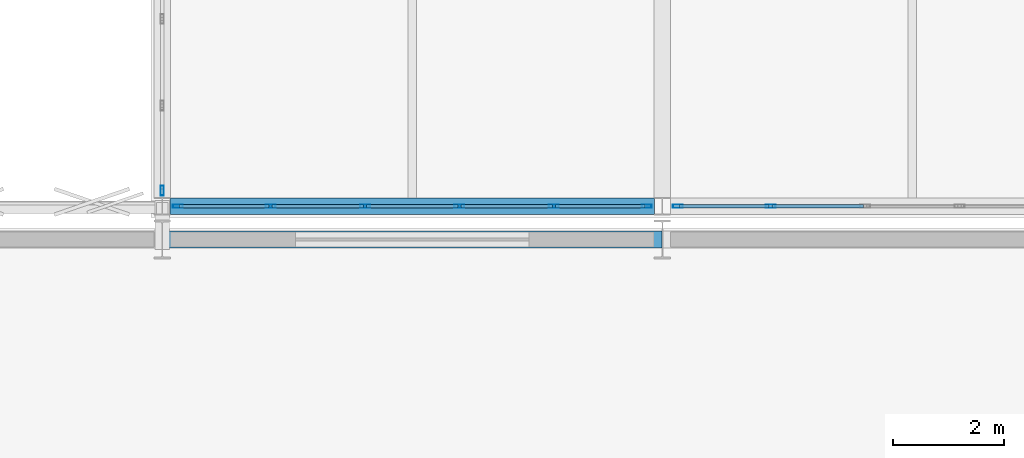
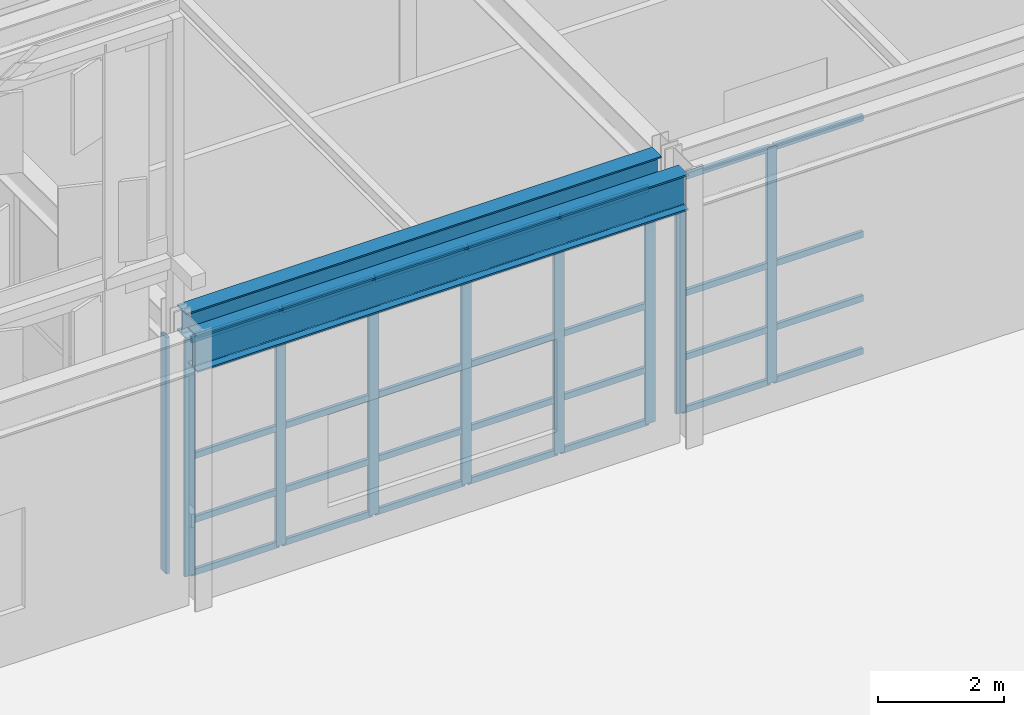
# One storey, part 24 of 239: 37 members, 2 beams, 3 elements without a shape of their own.
"""IFC4 building model written with IfcOpenShell, lengths in metres."""

import ifcopenshell
import ifcopenshell.guid

model = None  # the IFC model being written
_history = None  # IfcOwnerHistory: only IFC2X3 demands one
_inside = {}  # id of a spatial element -> (the spatial element, [elements in it])
_under = {}  # id of a project, library or spatial element -> (it, [spatial elements below it])
_declared = {}  # id of a project -> (the project, [libraries it declares])
_typed = {}  # id of a type object -> (the type object, [elements of that type])
_made_of = {}  # id of a material, layer set ... -> (it, [elements and type objects made of it])


def new_model(schema):
    """Start an empty IFC model of exactly this schema.

    Asked for "IFC4X3", IfcOpenShell would pick the latest addendum, in which some entities
    have other attributes; the version numbers below select the first issue.
    IFC2X3 requires an IfcOwnerHistory on every rooted entity: one is made here for all.
    """
    global model, _history
    if schema == "IFC4X3":
        model = ifcopenshell.file(schema_version=(4, 3, 0, 0))
    else:
        model = ifcopenshell.file(schema=schema)
    _inside.clear()
    _under.clear()
    _declared.clear()
    _typed.clear()
    _made_of.clear()
    _history = None
    if model.schema == "IFC2X3":
        org = make("IfcOrganization", Name="unknown")
        user = make(
            "IfcPersonAndOrganization",
            ThePerson=make("IfcPerson", FamilyName="unknown"),
            TheOrganization=org,
        )
        app = make(
            "IfcApplication",
            ApplicationDeveloper=org,
            Version="unknown",
            ApplicationFullName="unknown",
            ApplicationIdentifier="unknown",
        )
        _history = make(
            "IfcOwnerHistory",
            OwningUser=user,
            OwningApplication=app,
            ChangeAction="ADDED",
            CreationDate=0,
        )
    return model


def make(cls, **values):
    """One entity of the class cls with the attributes given. An attribute that is None is left unset."""
    return model.create_entity(
        cls, **{name: value for name, value in values.items() if value is not None}
    )


def rooted(cls, **values):
    """An entity with a GlobalId (a new one), such as an element, a storey or a relation."""
    return make(cls, GlobalId=ifcopenshell.guid.new(), OwnerHistory=_history, **values)


def si_unit(unit_type, name, prefix=None):
    """IfcSIUnit, for example si_unit("LENGTHUNIT", "METRE", prefix="MILLI")."""
    return make("IfcSIUnit", UnitType=unit_type, Prefix=prefix, Name=name)


def assignment(units):
    """IfcUnitAssignment: the units of a project."""
    return None if units is None else make("IfcUnitAssignment", Units=units)


def point(xyz):
    """IfcCartesianPoint."""
    return None if xyz is None else make("IfcCartesianPoint", Coordinates=xyz)


def direction(xyz):
    """IfcDirection."""
    return None if xyz is None else make("IfcDirection", DirectionRatios=xyz)


def frame(location, z_axis=None, x_axis=None):
    """IfcAxis2Placement3D, a coordinate frame: its origin and axes. An axis left out is left unset."""
    return make(
        "IfcAxis2Placement3D",
        Location=point(location),
        Axis=direction(z_axis),
        RefDirection=direction(x_axis),
    )


def frame_2d(location, x_axis=None):
    """IfcAxis2Placement2D, a coordinate frame in the plane: its origin and x axis."""
    return make(
        "IfcAxis2Placement2D", Location=point(location), RefDirection=direction(x_axis)
    )


def origin():
    """The frame at (0, 0, 0) with its axes left unset."""
    return frame((0.0, 0.0, 0.0))


def origin_2d():
    """The frame at (0, 0) in the plane with its x axis left unset."""
    return frame_2d((0.0, 0.0))


def place(relative_to, where):
    """IfcLocalPlacement: puts the frame where relative to a parent placement (None: the world)."""
    return make(
        "IfcLocalPlacement", PlacementRelTo=relative_to, RelativePlacement=where
    )


def context(
    kind, dimensions, precision=None, world=None, true_north=None, identifier=None
):
    """IfcGeometricRepresentationContext, for example the 3D "Model" context."""
    return make(
        "IfcGeometricRepresentationContext",
        ContextIdentifier=identifier,
        ContextType=kind,
        CoordinateSpaceDimension=dimensions,
        Precision=precision,
        WorldCoordinateSystem=world,
        TrueNorth=true_north,
    )


def subcontext(parent, identifier, kind, view, scale=None):
    """IfcGeometricRepresentationSubContext, for example "Body" below "Model"."""
    return make(
        "IfcGeometricRepresentationSubContext",
        ContextIdentifier=identifier,
        ContextType=kind,
        ParentContext=parent,
        TargetScale=scale,
        TargetView=view,
    )


def project(units=None, contexts=None):
    """IfcProject with its units and contexts."""
    return rooted(
        "IfcProject",
        Name="project",
        RepresentationContexts=contexts,
        UnitsInContext=assignment(units),
    )


def spatial(cls, under=None, at=None, **own):
    """A site, building, storey or space (cls), placed at a placement, below another one or the project."""
    s = rooted(cls, ObjectPlacement=at, **own)
    if under is not None:
        _under.setdefault(under.id(), (under, []))[1].append(s)
    return s


def profile(cls, at=None, kind="AREA", **sizes):
    """A parametric profile (cls). Its sizes go by their IFC names, for example OverallWidth=200.0."""
    return make(cls, ProfileType=kind, Position=at, **sizes)


def hollow_rectangle(**sizes):
    """IfcRectangleHollowProfileDef."""
    return profile("IfcRectangleHollowProfileDef", **sizes)


def i_section(**sizes):
    """IfcIShapeProfileDef."""
    return profile("IfcIShapeProfileDef", **sizes)


def extrude(swept, where, along, depth):
    """IfcExtrudedAreaSolid: the profile swept, set in the frame where, extruded along a direction by depth."""
    return make(
        "IfcExtrudedAreaSolid",
        SweptArea=swept,
        Position=where,
        ExtrudedDirection=direction(along),
        Depth=depth,
    )


def shape(context_of_items, identifier, shape_type, items):
    """IfcShapeRepresentation: the items that make up one representation, for example the "Body"."""
    return make(
        "IfcShapeRepresentation",
        ContextOfItems=context_of_items,
        RepresentationIdentifier=identifier,
        RepresentationType=shape_type,
        Items=items,
    )


def material(Name=None, Category=None):
    """IfcMaterial."""
    return make("IfcMaterial", Name=Name, Category=Category)


def material_profile(
    of_material, cross_section, Name=None, Category=None, Priority=None
):
    """IfcMaterialProfile: a cross section and its material."""
    return make(
        "IfcMaterialProfile",
        Name=Name,
        Material=of_material,
        Profile=cross_section,
        Priority=Priority,
        Category=Category,
    )


def profile_set(profiles, Name=None, composite=None):
    """IfcMaterialProfileSet."""
    return make(
        "IfcMaterialProfileSet",
        Name=Name,
        MaterialProfiles=profiles,
        CompositeProfile=composite,
    )


def made_of(thing, what):
    """Note that an element or type object is made of a material, layer set ...; save() writes the relation."""
    if what is not None:
        _made_of.setdefault(what.id(), (what, []))[1].append(thing)
    return thing


def type_object(cls, material=None, **own):
    """A type object (cls), such as IfcWallType, which elements share."""
    return made_of(rooted(cls, **own), material)


def element(
    cls,
    number,
    at=None,
    inside=None,
    cuts=None,
    type_object=None,
    material=None,
    context=None,
    identifier="Body",
    shape_type=None,
    held_by="IfcProductDefinitionShape",
    body=None,
    shapes=None,
    **own,
):
    """One element of the class cls, such as IfcWall. Its Tag is "e" and its number.

    at: its placement. inside: the storey or other place that contains it. cuts: it is an
    opening in that element (IfcRelVoidsElement). A single representation is given by context,
    identifier, shape_type and body (its items); several are given by shapes. held_by: the class
    of the entity that holds the representations. save() writes the other relations.
    """
    e = rooted(cls, Tag="e%d" % number, ObjectPlacement=at, **own)
    if body is not None:
        shapes = [shape(context, identifier, shape_type, body)]
    if shapes is not None:
        e.Representation = make(held_by, Representations=shapes)
    if inside is not None:
        _inside.setdefault(inside.id(), (inside, []))[1].append(e)
    if cuts is not None:
        rooted(
            "IfcRelVoidsElement", RelatingBuildingElement=cuts, RelatedOpeningElement=e
        )
    if type_object is not None:
        _typed.setdefault(type_object.id(), (type_object, []))[1].append(e)
    return made_of(e, material)


def aggregate(whole, parts):
    """IfcRelAggregates: a whole, such as a stair, and the parts it consists of."""
    return rooted("IfcRelAggregates", RelatingObject=whole, RelatedObjects=parts)


def save(model, path):
    """Write the relations noted so far, then the file.

    IfcRelAggregates (storeys below a building ...), IfcRelContainedInSpatialStructure (elements
    in a storey), IfcRelDefinesByType, IfcRelAssociatesMaterial and IfcRelDeclares: one each for
    every whole, place, type object, material and project.
    """
    for whole, parts in _under.values():
        aggregate(whole, parts)
    for where, things in _inside.values():
        rooted(
            "IfcRelContainedInSpatialStructure",
            RelatedElements=things,
            RelatingStructure=where,
        )
    for kind, things in _typed.values():
        rooted("IfcRelDefinesByType", RelatedObjects=things, RelatingType=kind)
    for what, things in _made_of.values():
        rooted("IfcRelAssociatesMaterial", RelatedObjects=things, RelatingMaterial=what)
    for by, libraries in _declared.values():
        rooted("IfcRelDeclares", RelatingContext=by, RelatedDefinitions=libraries)
    model.write(path)


model = new_model("IFC4")

# Units and contexts
model_context = context("Model", 3, precision=1e-05, world=origin(), true_north=direction((0.0, 1.0)))
body_context = subcontext(model_context, "Body", "Model", "MODEL_VIEW")
ifc_project = project(units=[si_unit("LENGTHUNIT", "METRE"), si_unit("AREAUNIT", "SQUARE_METRE"), si_unit("VOLUMEUNIT", "CUBIC_METRE"), si_unit("PLANEANGLEUNIT", "RADIAN"), si_unit("MASSUNIT", "GRAM", prefix="KILO")], contexts=[model_context])

# Site, building, storey
site_placement = place(None, origin())
site = spatial("IfcSite", under=ifc_project, at=site_placement, CompositionType="ELEMENT")
building_placement = place(site_placement, origin())
building = spatial("IfcBuilding", under=site, at=building_placement, Name="Kaldris Quays Convention Centre", CompositionType="ELEMENT")
storey_placement = place(building_placement, frame((0.0, 0.0, 11.39990234375)))
storey = spatial("IfcBuildingStorey", under=building, at=storey_placement, Name="L02", CompositionType="ELEMENT", Elevation=11.39990234375)

# Curtain wall, members
ifc_material_1 = material(Name="Anodized aluminium AW-6060 and triple glazing", Category="aluminium")
curtain_wall_type = type_object("IfcCurtainWallType", Name="UNITISED CURTAIN WALL CW02", PredefinedType="NOTDEFINED", material=ifc_material_1)
curtain_wall_1_placement = place(storey_placement, origin())
curtain_wall_1 = element("IfcCurtainWall", 1, at=curtain_wall_1_placement, inside=storey, type_object=curtain_wall_type, Name="L02 Unitised Curtain Wall CW02 97", PredefinedType="NOTDEFINED")
ifc_material_2 = material(Name="Anodized aluminium AW-6060", Category="aluminium")
ifc_material_profile_1 = material_profile(ifc_material_2, hollow_rectangle(XDim=0.06005859375, YDim=0.179931640625, WallThickness=0.0048828125, at=origin_2d()), Name="RHS 180x60x5")
ifc_profile_set_1 = profile_set([ifc_material_profile_1], Name="Anodized aluminium AW-6060")
member_type_1 = type_object("IfcMemberType", Name="CURTAIN MULLION CWM2", PredefinedType="MULLION", material=ifc_profile_set_1)
member_1_placement = place(storey_placement, frame((29.280029296875, 46.60009765625, 0.0), z_axis=(0.0, 0.0, 1.0), x_axis=(0.0, 1.0, 0.0)))
member_1 = element("IfcMember", 2, at=member_1_placement, type_object=member_type_1, Name="CW02 mullion 1", PredefinedType="MULLION", context=body_context, shape_type="SweptSolid", body=[
    extrude(hollow_rectangle(XDim=0.06005859375, YDim=0.179931640625, WallThickness=0.0048828125, at=origin_2d()), origin(), (0.0, 0.0, 1.0), 4.578125),
])
member_2_placement = place(storey_placement, frame((30.949951171875, 46.60009765625, 0.0), z_axis=(0.0, 0.0, 1.0), x_axis=(0.0, 1.0, 0.0)))
member_2 = element("IfcMember", 3, at=member_2_placement, type_object=member_type_1, Name="CW02 mullion 2", PredefinedType="MULLION", context=body_context, shape_type="SweptSolid", body=[
    extrude(hollow_rectangle(XDim=0.06005859375, YDim=0.179931640625, WallThickness=0.0048828125, at=origin_2d()), origin(), (0.0, 0.0, 1.0), 4.578125),
])
member_3_placement = place(storey_placement, frame((32.64990234375, 46.60009765625, 0.0), z_axis=(0.0, 0.0, 1.0), x_axis=(0.0, 1.0, 0.0)))
member_3 = element("IfcMember", 4, at=member_3_placement, type_object=member_type_1, Name="CW02 mullion 3", PredefinedType="MULLION", context=body_context, shape_type="SweptSolid", body=[
    extrude(hollow_rectangle(XDim=0.06005859375, YDim=0.179931640625, WallThickness=0.0048828125, at=origin_2d()), origin(), (0.0, 0.0, 1.0), 4.578125),
])
member_4_placement = place(storey_placement, frame((34.35009765625, 46.60009765625, 0.0), z_axis=(0.0, 0.0, 1.0), x_axis=(0.0, 1.0, 0.0)))
member_4 = element("IfcMember", 5, at=member_4_placement, type_object=member_type_1, Name="CW02 mullion 4", PredefinedType="MULLION", context=body_context, shape_type="SweptSolid", body=[
    extrude(hollow_rectangle(XDim=0.06005859375, YDim=0.179931640625, WallThickness=0.0048828125, at=origin_2d()), origin(), (0.0, 0.0, 1.0), 4.578125),
])
member_5_placement = place(storey_placement, frame((36.050048828125, 46.60009765625, 0.0), z_axis=(0.0, 0.0, 1.0), x_axis=(0.0, 1.0, 0.0)))
member_5 = element("IfcMember", 6, at=member_5_placement, type_object=member_type_1, Name="CW02 mullion 5", PredefinedType="MULLION", context=body_context, shape_type="SweptSolid", body=[
    extrude(hollow_rectangle(XDim=0.06005859375, YDim=0.179931640625, WallThickness=0.0048828125, at=origin_2d()), origin(), (0.0, 0.0, 1.0), 4.578125),
])
member_6_placement = place(storey_placement, frame((37.719970703125, 46.60009765625, 0.0), z_axis=(0.0, 0.0, 1.0), x_axis=(0.0, 1.0, 0.0)))
member_6 = element("IfcMember", 7, at=member_6_placement, type_object=member_type_1, Name="CW02 mullion 6", PredefinedType="MULLION", context=body_context, shape_type="SweptSolid", body=[
    extrude(hollow_rectangle(XDim=0.06005859375, YDim=0.179931640625, WallThickness=0.0048828125, at=origin_2d()), origin(), (0.0, 0.0, 1.0), 4.578125),
])

curtain_wall_2_placement = place(storey_placement, origin())
curtain_wall_2 = element("IfcCurtainWall", 8, at=curtain_wall_2_placement, inside=storey, type_object=curtain_wall_type, Name="L02 Unitised Curtain Wall CW02 98", PredefinedType="NOTDEFINED")
member_7_placement = place(storey_placement, frame((38.280029296875, 46.60009765625, 0.0), z_axis=(0.0, 0.0, 1.0), x_axis=(0.0, 1.0, 0.0)))
member_7 = element("IfcMember", 9, at=member_7_placement, type_object=member_type_1, Name="CW02 mullion 1", PredefinedType="MULLION", context=body_context, shape_type="SweptSolid", body=[
    extrude(hollow_rectangle(XDim=0.06005859375, YDim=0.179931640625, WallThickness=0.0048828125, at=origin_2d()), origin(), (0.0, 0.0, 1.0), 4.578125),
])
member_8_placement = place(storey_placement, frame((39.949951171875, 46.60009765625, 0.0), z_axis=(0.0, 0.0, 1.0), x_axis=(0.0, 1.0, 0.0)))
member_8 = element("IfcMember", 10, at=member_8_placement, type_object=member_type_1, Name="CW02 mullion 2", PredefinedType="MULLION", context=body_context, shape_type="SweptSolid", body=[
    extrude(hollow_rectangle(XDim=0.06005859375, YDim=0.179931640625, WallThickness=0.0048828125, at=origin_2d()), origin(), (0.0, 0.0, 1.0), 4.578125),
])

# Curtain wall, member
curtain_wall_3_placement = place(storey_placement, origin())
curtain_wall_3 = element("IfcCurtainWall", 11, at=curtain_wall_3_placement, inside=storey, type_object=curtain_wall_type, Name="L02 Unitised Curtain Wall CW02 103", PredefinedType="NOTDEFINED")
member_9_placement = place(storey_placement, frame((29.0, 46.8798828125, 0.0), z_axis=(0.0, 0.0, 1.0), x_axis=(-1.0, 0.0, 0.0)))
member_9 = element("IfcMember", 12, at=member_9_placement, type_object=member_type_1, Name="CW02 mullion 1", PredefinedType="MULLION", context=body_context, shape_type="SweptSolid", body=[
    extrude(hollow_rectangle(XDim=0.06005859375, YDim=0.179931640625, WallThickness=0.0048828125, at=origin_2d()), origin(), (0.0, 0.0, 1.0), 4.578125),
])
aggregate(curtain_wall_3, [member_9])

# Member
ifc_material_profile_2 = material_profile(ifc_material_2, hollow_rectangle(XDim=0.06005859375, YDim=0.1201171875, WallThickness=0.00390625, at=origin_2d()), Name="RHS 120x60x4")
ifc_profile_set_2 = profile_set([ifc_material_profile_2], Name="Anodized aluminium AW-6060")
member_type_2 = type_object("IfcMemberType", Name="CURTAIN TRANSOM CWT1", PredefinedType="USERDEFINED", material=ifc_profile_set_2)
member_10_placement = place(storey_placement, frame((29.31005859375, 46.60009765625, 0.030029296875), z_axis=(1.0, 0.0, 0.0), x_axis=(0.0, 1.0, 0.0)))
member_10 = element("IfcMember", 13, at=member_10_placement, type_object=member_type_2, Name="CW02 transom 1.1", ObjectType="TRANSOM", PredefinedType="USERDEFINED", context=body_context, shape_type="SweptSolid", body=[
    extrude(hollow_rectangle(XDim=0.06005859375, YDim=0.1201171875, WallThickness=0.00390625, at=origin_2d()), origin(), (0.0, 0.0, 1.0), 1.60986328125),
])

member_11_placement = place(storey_placement, frame((29.31005859375, 46.60009765625, 1.050048828125), z_axis=(1.0, 0.0, 0.0), x_axis=(0.0, 1.0, 0.0)))
member_11 = element("IfcMember", 14, at=member_11_placement, type_object=member_type_2, Name="CW02 transom 1.2", ObjectType="TRANSOM", PredefinedType="USERDEFINED", context=body_context, shape_type="SweptSolid", body=[
    extrude(hollow_rectangle(XDim=0.06005859375, YDim=0.1201171875, WallThickness=0.00390625, at=origin_2d()), origin(), (0.0, 0.0, 1.0), 1.60986328125),
])

member_12_placement = place(storey_placement, frame((29.31005859375, 46.60009765625, 2.2890625), z_axis=(1.0, 0.0, 0.0), x_axis=(0.0, 1.0, 0.0)))
member_12 = element("IfcMember", 15, at=member_12_placement, type_object=member_type_2, Name="CW02 transom 1.3", ObjectType="TRANSOM", PredefinedType="USERDEFINED", context=body_context, shape_type="SweptSolid", body=[
    extrude(hollow_rectangle(XDim=0.06005859375, YDim=0.1201171875, WallThickness=0.00390625, at=origin_2d()), origin(), (0.0, 0.0, 1.0), 1.60986328125),
])

member_13_placement = place(storey_placement, frame((29.31005859375, 46.60009765625, 4.548095703125), z_axis=(1.0, 0.0, 0.0), x_axis=(0.0, 1.0, 0.0)))
member_13 = element("IfcMember", 16, at=member_13_placement, type_object=member_type_2, Name="CW02 transom 1.4", ObjectType="TRANSOM", PredefinedType="USERDEFINED", context=body_context, shape_type="SweptSolid", body=[
    extrude(hollow_rectangle(XDim=0.06005859375, YDim=0.1201171875, WallThickness=0.00390625, at=origin_2d()), origin(), (0.0, 0.0, 1.0), 1.60986328125),
])

member_14_placement = place(storey_placement, frame((30.97998046875, 46.60009765625, 0.030029296875), z_axis=(1.0, 0.0, 0.0), x_axis=(0.0, 1.0, 0.0)))
member_14 = element("IfcMember", 17, at=member_14_placement, type_object=member_type_2, Name="CW02 transom 2.1", ObjectType="TRANSOM", PredefinedType="USERDEFINED", context=body_context, shape_type="SweptSolid", body=[
    extrude(hollow_rectangle(XDim=0.06005859375, YDim=0.1201171875, WallThickness=0.00390625, at=origin_2d()), origin(), (0.0, 0.0, 1.0), 1.64013671875),
])

member_15_placement = place(storey_placement, frame((30.97998046875, 46.60009765625, 1.050048828125), z_axis=(1.0, 0.0, 0.0), x_axis=(0.0, 1.0, 0.0)))
member_15 = element("IfcMember", 18, at=member_15_placement, type_object=member_type_2, Name="CW02 transom 2.2", ObjectType="TRANSOM", PredefinedType="USERDEFINED", context=body_context, shape_type="SweptSolid", body=[
    extrude(hollow_rectangle(XDim=0.06005859375, YDim=0.1201171875, WallThickness=0.00390625, at=origin_2d()), origin(), (0.0, 0.0, 1.0), 1.64013671875),
])

member_16_placement = place(storey_placement, frame((30.97998046875, 46.60009765625, 2.2890625), z_axis=(1.0, 0.0, 0.0), x_axis=(0.0, 1.0, 0.0)))
member_16 = element("IfcMember", 19, at=member_16_placement, type_object=member_type_2, Name="CW02 transom 2.3", ObjectType="TRANSOM", PredefinedType="USERDEFINED", context=body_context, shape_type="SweptSolid", body=[
    extrude(hollow_rectangle(XDim=0.06005859375, YDim=0.1201171875, WallThickness=0.00390625, at=origin_2d()), origin(), (0.0, 0.0, 1.0), 1.64013671875),
])

member_17_placement = place(storey_placement, frame((30.97998046875, 46.60009765625, 4.548095703125), z_axis=(1.0, 0.0, 0.0), x_axis=(0.0, 1.0, 0.0)))
member_17 = element("IfcMember", 20, at=member_17_placement, type_object=member_type_2, Name="CW02 transom 2.4", ObjectType="TRANSOM", PredefinedType="USERDEFINED", context=body_context, shape_type="SweptSolid", body=[
    extrude(hollow_rectangle(XDim=0.06005859375, YDim=0.1201171875, WallThickness=0.00390625, at=origin_2d()), origin(), (0.0, 0.0, 1.0), 1.64013671875),
])

member_18_placement = place(storey_placement, frame((32.679931640625, 46.60009765625, 0.030029296875), z_axis=(1.0, 0.0, 0.0), x_axis=(0.0, 1.0, 0.0)))
member_18 = element("IfcMember", 21, at=member_18_placement, type_object=member_type_2, Name="CW02 transom 3.1", ObjectType="TRANSOM", PredefinedType="USERDEFINED", context=body_context, shape_type="SweptSolid", body=[
    extrude(hollow_rectangle(XDim=0.06005859375, YDim=0.1201171875, WallThickness=0.00390625, at=origin_2d()), origin(), (0.0, 0.0, 1.0), 1.64013671875),
])

member_19_placement = place(storey_placement, frame((32.679931640625, 46.60009765625, 1.050048828125), z_axis=(1.0, 0.0, 0.0), x_axis=(0.0, 1.0, 0.0)))
member_19 = element("IfcMember", 22, at=member_19_placement, type_object=member_type_2, Name="CW02 transom 3.2", ObjectType="TRANSOM", PredefinedType="USERDEFINED", context=body_context, shape_type="SweptSolid", body=[
    extrude(hollow_rectangle(XDim=0.06005859375, YDim=0.1201171875, WallThickness=0.00390625, at=origin_2d()), origin(), (0.0, 0.0, 1.0), 1.64013671875),
])

member_20_placement = place(storey_placement, frame((32.679931640625, 46.60009765625, 2.2890625), z_axis=(1.0, 0.0, 0.0), x_axis=(0.0, 1.0, 0.0)))
member_20 = element("IfcMember", 23, at=member_20_placement, type_object=member_type_2, Name="CW02 transom 3.3", ObjectType="TRANSOM", PredefinedType="USERDEFINED", context=body_context, shape_type="SweptSolid", body=[
    extrude(hollow_rectangle(XDim=0.06005859375, YDim=0.1201171875, WallThickness=0.00390625, at=origin_2d()), origin(), (0.0, 0.0, 1.0), 1.64013671875),
])

member_21_placement = place(storey_placement, frame((32.679931640625, 46.60009765625, 4.548095703125), z_axis=(1.0, 0.0, 0.0), x_axis=(0.0, 1.0, 0.0)))
member_21 = element("IfcMember", 24, at=member_21_placement, type_object=member_type_2, Name="CW02 transom 3.4", ObjectType="TRANSOM", PredefinedType="USERDEFINED", context=body_context, shape_type="SweptSolid", body=[
    extrude(hollow_rectangle(XDim=0.06005859375, YDim=0.1201171875, WallThickness=0.00390625, at=origin_2d()), origin(), (0.0, 0.0, 1.0), 1.64013671875),
])

member_22_placement = place(storey_placement, frame((34.3798828125, 46.60009765625, 0.030029296875), z_axis=(1.0, 0.0, 0.0), x_axis=(0.0, 1.0, 0.0)))
member_22 = element("IfcMember", 25, at=member_22_placement, type_object=member_type_2, Name="CW02 transom 4.1", ObjectType="TRANSOM", PredefinedType="USERDEFINED", context=body_context, shape_type="SweptSolid", body=[
    extrude(hollow_rectangle(XDim=0.06005859375, YDim=0.1201171875, WallThickness=0.00390625, at=origin_2d()), origin(), (0.0, 0.0, 1.0), 1.64013671875),
])

member_23_placement = place(storey_placement, frame((34.3798828125, 46.60009765625, 1.050048828125), z_axis=(1.0, 0.0, 0.0), x_axis=(0.0, 1.0, 0.0)))
member_23 = element("IfcMember", 26, at=member_23_placement, type_object=member_type_2, Name="CW02 transom 4.2", ObjectType="TRANSOM", PredefinedType="USERDEFINED", context=body_context, shape_type="SweptSolid", body=[
    extrude(hollow_rectangle(XDim=0.06005859375, YDim=0.1201171875, WallThickness=0.00390625, at=origin_2d()), origin(), (0.0, 0.0, 1.0), 1.64013671875),
])

member_24_placement = place(storey_placement, frame((34.3798828125, 46.60009765625, 2.2890625), z_axis=(1.0, 0.0, 0.0), x_axis=(0.0, 1.0, 0.0)))
member_24 = element("IfcMember", 27, at=member_24_placement, type_object=member_type_2, Name="CW02 transom 4.3", ObjectType="TRANSOM", PredefinedType="USERDEFINED", context=body_context, shape_type="SweptSolid", body=[
    extrude(hollow_rectangle(XDim=0.06005859375, YDim=0.1201171875, WallThickness=0.00390625, at=origin_2d()), origin(), (0.0, 0.0, 1.0), 1.64013671875),
])

member_25_placement = place(storey_placement, frame((34.3798828125, 46.60009765625, 4.548095703125), z_axis=(1.0, 0.0, 0.0), x_axis=(0.0, 1.0, 0.0)))
member_25 = element("IfcMember", 28, at=member_25_placement, type_object=member_type_2, Name="CW02 transom 4.4", ObjectType="TRANSOM", PredefinedType="USERDEFINED", context=body_context, shape_type="SweptSolid", body=[
    extrude(hollow_rectangle(XDim=0.06005859375, YDim=0.1201171875, WallThickness=0.00390625, at=origin_2d()), origin(), (0.0, 0.0, 1.0), 1.64013671875),
])

member_26_placement = place(storey_placement, frame((36.080078125, 46.60009765625, 0.030029296875), z_axis=(1.0, 0.0, 0.0), x_axis=(0.0, 1.0, 0.0)))
member_26 = element("IfcMember", 29, at=member_26_placement, type_object=member_type_2, Name="CW02 transom 5.1", ObjectType="TRANSOM", PredefinedType="USERDEFINED", context=body_context, shape_type="SweptSolid", body=[
    extrude(hollow_rectangle(XDim=0.06005859375, YDim=0.1201171875, WallThickness=0.00390625, at=origin_2d()), origin(), (0.0, 0.0, 1.0), 1.60986328125),
])

member_27_placement = place(storey_placement, frame((36.080078125, 46.60009765625, 1.050048828125), z_axis=(1.0, 0.0, 0.0), x_axis=(0.0, 1.0, 0.0)))
member_27 = element("IfcMember", 30, at=member_27_placement, type_object=member_type_2, Name="CW02 transom 5.2", ObjectType="TRANSOM", PredefinedType="USERDEFINED", context=body_context, shape_type="SweptSolid", body=[
    extrude(hollow_rectangle(XDim=0.06005859375, YDim=0.1201171875, WallThickness=0.00390625, at=origin_2d()), origin(), (0.0, 0.0, 1.0), 1.60986328125),
])

member_28_placement = place(storey_placement, frame((36.080078125, 46.60009765625, 2.2890625), z_axis=(1.0, 0.0, 0.0), x_axis=(0.0, 1.0, 0.0)))
member_28 = element("IfcMember", 31, at=member_28_placement, type_object=member_type_2, Name="CW02 transom 5.3", ObjectType="TRANSOM", PredefinedType="USERDEFINED", context=body_context, shape_type="SweptSolid", body=[
    extrude(hollow_rectangle(XDim=0.06005859375, YDim=0.1201171875, WallThickness=0.00390625, at=origin_2d()), origin(), (0.0, 0.0, 1.0), 1.60986328125),
])

member_29_placement = place(storey_placement, frame((36.080078125, 46.60009765625, 4.548095703125), z_axis=(1.0, 0.0, 0.0), x_axis=(0.0, 1.0, 0.0)))
member_29 = element("IfcMember", 32, at=member_29_placement, type_object=member_type_2, Name="CW02 transom 5.4", ObjectType="TRANSOM", PredefinedType="USERDEFINED", context=body_context, shape_type="SweptSolid", body=[
    extrude(hollow_rectangle(XDim=0.06005859375, YDim=0.1201171875, WallThickness=0.00390625, at=origin_2d()), origin(), (0.0, 0.0, 1.0), 1.60986328125),
])

aggregate(curtain_wall_1, [member_1, member_2, member_3, member_4, member_5, member_6, member_10, member_11, member_12, member_13, member_14, member_15, member_16, member_17, member_18, member_19, member_20, member_21, member_22, member_23, member_24, member_25, member_26, member_27, member_28, member_29])

member_30_placement = place(storey_placement, frame((38.31005859375, 46.60009765625, 0.030029296875), z_axis=(1.0, 0.0, 0.0), x_axis=(0.0, 1.0, 0.0)))
member_30 = element("IfcMember", 33, at=member_30_placement, type_object=member_type_2, Name="CW02 transom 1.1", ObjectType="TRANSOM", PredefinedType="USERDEFINED", context=body_context, shape_type="SweptSolid", body=[
    extrude(hollow_rectangle(XDim=0.06005859375, YDim=0.1201171875, WallThickness=0.00390625, at=origin_2d()), origin(), (0.0, 0.0, 1.0), 1.60986328125),
])

member_31_placement = place(storey_placement, frame((38.31005859375, 46.60009765625, 1.050048828125), z_axis=(1.0, 0.0, 0.0), x_axis=(0.0, 1.0, 0.0)))
member_31 = element("IfcMember", 34, at=member_31_placement, type_object=member_type_2, Name="CW02 transom 1.2", ObjectType="TRANSOM", PredefinedType="USERDEFINED", context=body_context, shape_type="SweptSolid", body=[
    extrude(hollow_rectangle(XDim=0.06005859375, YDim=0.1201171875, WallThickness=0.00390625, at=origin_2d()), origin(), (0.0, 0.0, 1.0), 1.60986328125),
])

member_32_placement = place(storey_placement, frame((38.31005859375, 46.60009765625, 2.2890625), z_axis=(1.0, 0.0, 0.0), x_axis=(0.0, 1.0, 0.0)))
member_32 = element("IfcMember", 35, at=member_32_placement, type_object=member_type_2, Name="CW02 transom 1.3", ObjectType="TRANSOM", PredefinedType="USERDEFINED", context=body_context, shape_type="SweptSolid", body=[
    extrude(hollow_rectangle(XDim=0.06005859375, YDim=0.1201171875, WallThickness=0.00390625, at=origin_2d()), origin(), (0.0, 0.0, 1.0), 1.60986328125),
])

member_33_placement = place(storey_placement, frame((38.31005859375, 46.60009765625, 4.548095703125), z_axis=(1.0, 0.0, 0.0), x_axis=(0.0, 1.0, 0.0)))
member_33 = element("IfcMember", 36, at=member_33_placement, type_object=member_type_2, Name="CW02 transom 1.4", ObjectType="TRANSOM", PredefinedType="USERDEFINED", context=body_context, shape_type="SweptSolid", body=[
    extrude(hollow_rectangle(XDim=0.06005859375, YDim=0.1201171875, WallThickness=0.00390625, at=origin_2d()), origin(), (0.0, 0.0, 1.0), 1.60986328125),
])

member_34_placement = place(storey_placement, frame((39.97998046875, 46.60009765625, 0.030029296875), z_axis=(1.0, 0.0, 0.0), x_axis=(0.0, 1.0, 0.0)))
member_34 = element("IfcMember", 37, at=member_34_placement, type_object=member_type_2, Name="CW02 transom 2.1", ObjectType="TRANSOM", PredefinedType="USERDEFINED", context=body_context, shape_type="SweptSolid", body=[
    extrude(hollow_rectangle(XDim=0.06005859375, YDim=0.1201171875, WallThickness=0.00390625, at=origin_2d()), origin(), (0.0, 0.0, 1.0), 1.64013671875),
])

member_35_placement = place(storey_placement, frame((39.97998046875, 46.60009765625, 1.050048828125), z_axis=(1.0, 0.0, 0.0), x_axis=(0.0, 1.0, 0.0)))
member_35 = element("IfcMember", 38, at=member_35_placement, type_object=member_type_2, Name="CW02 transom 2.2", ObjectType="TRANSOM", PredefinedType="USERDEFINED", context=body_context, shape_type="SweptSolid", body=[
    extrude(hollow_rectangle(XDim=0.06005859375, YDim=0.1201171875, WallThickness=0.00390625, at=origin_2d()), origin(), (0.0, 0.0, 1.0), 1.64013671875),
])

member_36_placement = place(storey_placement, frame((39.97998046875, 46.60009765625, 2.2890625), z_axis=(1.0, 0.0, 0.0), x_axis=(0.0, 1.0, 0.0)))
member_36 = element("IfcMember", 39, at=member_36_placement, type_object=member_type_2, Name="CW02 transom 2.3", ObjectType="TRANSOM", PredefinedType="USERDEFINED", context=body_context, shape_type="SweptSolid", body=[
    extrude(hollow_rectangle(XDim=0.06005859375, YDim=0.1201171875, WallThickness=0.00390625, at=origin_2d()), origin(), (0.0, 0.0, 1.0), 1.64013671875),
])

member_37_placement = place(storey_placement, frame((39.97998046875, 46.60009765625, 4.548095703125), z_axis=(1.0, 0.0, 0.0), x_axis=(0.0, 1.0, 0.0)))
member_37 = element("IfcMember", 40, at=member_37_placement, type_object=member_type_2, Name="CW02 transom 2.4", ObjectType="TRANSOM", PredefinedType="USERDEFINED", context=body_context, shape_type="SweptSolid", body=[
    extrude(hollow_rectangle(XDim=0.06005859375, YDim=0.1201171875, WallThickness=0.00390625, at=origin_2d()), origin(), (0.0, 0.0, 1.0), 1.64013671875),
])

aggregate(curtain_wall_2, [member_7, member_8, member_30, member_31, member_32, member_33, member_34, member_35, member_36, member_37])

# Beams
ifc_material_3 = material(Name="Steel S355J2", Category="steel")
ifc_material_profile_3 = material_profile(ifc_material_3, i_section(OverallWidth=0.300048828125, OverallDepth=0.699951171875, WebThickness=0.01708984375, FlangeThickness=0.031982421875, FilletRadius=0.027099609375, at=origin_2d()), Name="HEB 700")
ifc_profile_set_3 = profile_set([ifc_material_profile_3], Name="Steel S355J2")
beam_type_1 = type_object("IfcBeamType", Name="STRUCTURAL BEAM BM04", PredefinedType="BEAM", material=ifc_profile_set_3)
beam_1_placement = place(storey_placement, frame((29.00244140625, 46.0, 4.81298828125), z_axis=(1.0, 0.0, 0.0), x_axis=(0.0, 1.0, 0.0)))
element("IfcBeam", 41, at=beam_1_placement, inside=storey, type_object=beam_type_1, Name="L02 Girder BM04 9", PredefinedType="BEAM", context=body_context, shape_type="SweptSolid", body=[
    extrude(i_section(OverallWidth=0.300048828125, OverallDepth=0.699951171875, WebThickness=0.01708984375, FlangeThickness=0.031982421875, FilletRadius=0.027099609375, at=origin_2d()), origin(), (0.0, 0.0, 1.0), 8.9951171875),
])
ifc_material_profile_4 = material_profile(ifc_material_3, i_section(OverallWidth=0.300048828125, OverallDepth=0.5, WebThickness=0.014404296875, FlangeThickness=0.028076171875, FilletRadius=0.027099609375, at=origin_2d()), Name="HEB 500")
ifc_profile_set_4 = profile_set([ifc_material_profile_4], Name="Steel S355J2")
beam_type_2 = type_object("IfcBeamType", Name="STRUCTURAL BEAM BM06", PredefinedType="BEAM", material=ifc_profile_set_4)
beam_2_placement = place(storey_placement, frame((29.14404296875, 46.60009765625, 4.943115234375), z_axis=(1.0, 0.0, 0.0), x_axis=(0.0, 1.0, 0.0)))
element("IfcBeam", 42, at=beam_2_placement, inside=storey, type_object=beam_type_2, Name="L02 Girder BM06 1", PredefinedType="BEAM", context=body_context, shape_type="SweptSolid", body=[
    extrude(i_section(OverallWidth=0.300048828125, OverallDepth=0.5, WebThickness=0.014404296875, FlangeThickness=0.028076171875, FilletRadius=0.027099609375, at=origin_2d()), origin(), (0.0, 0.0, 1.0), 8.7119140625),
])

save(model, "model.ifc")
